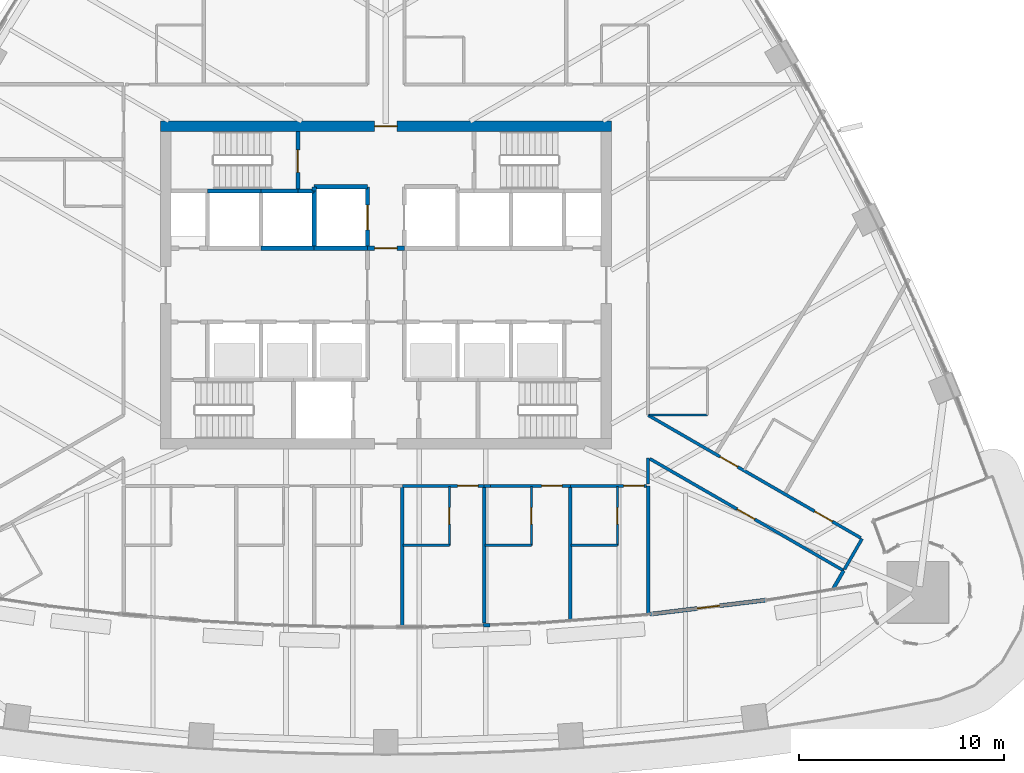
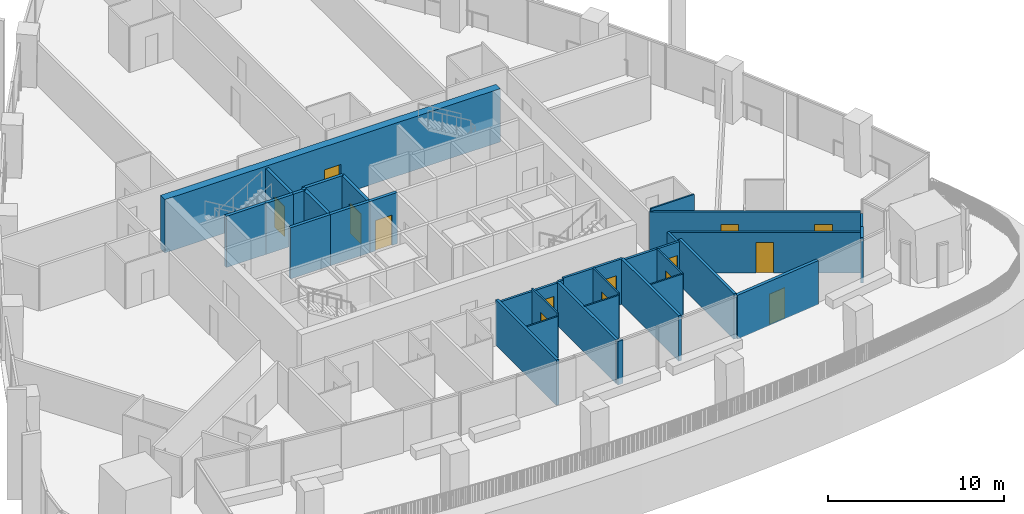
# One storey, part 12 of 25: 34 walls, 14 doors, 14 openings.
"""IFC4 building model written with IfcOpenShell, lengths in metres."""

from ifc_helpers import new_model, si_unit, direction, frame, frame_2d, origin, place, context, subcontext, project, spatial, rectangle, extrude, material, layer, layer_set, type_object, element, fill, save


model = new_model("IFC4")

# Units and contexts
model_context = context("Model", 3, precision=1e-05, world=origin(), true_north=direction((0.0, 1.0)))
body_context = subcontext(model_context, "Body", "Model", "MODEL_VIEW")
ifc_project = project(units=[si_unit("LENGTHUNIT", "METRE"), si_unit("AREAUNIT", "SQUARE_METRE"), si_unit("VOLUMEUNIT", "CUBIC_METRE"), si_unit("PLANEANGLEUNIT", "RADIAN"), si_unit("MASSUNIT", "GRAM", prefix="KILO")], contexts=[model_context])

# Site, building, storey
site_placement = place(None, origin())
site = spatial("IfcSite", under=ifc_project, at=site_placement, CompositionType="ELEMENT")
building_placement = place(site_placement, origin())
building = spatial("IfcBuilding", under=site, at=building_placement, Name="Sierra Prisma Convention Tower", CompositionType="ELEMENT")
storey_placement = place(building_placement, frame((0.0, 0.0, 88.699951171875)))
storey = spatial("IfcBuildingStorey", under=building, at=storey_placement, Name="L18", CompositionType="ELEMENT", Elevation=88.699951171875)

# Wall, opening, door
ifc_material_1 = material(Name="Gypsum board partition", Category="gypsum")
ifc_layer_1 = layer(ifc_material_1, 0.10009765625)
ifc_layer_set_1 = layer_set([ifc_layer_1], Name="Bathroom partition 100")
wall_type_1 = type_object("IfcWallType", Name="Bathroom partition 100", PredefinedType="PARTITIONING", material=ifc_layer_set_1)
wall_1_placement = place(storey_placement, frame((3.09912109375, -9.830078125, 0.0), z_axis=(0.0, 0.0, 1.0), x_axis=(0.0, -1.0, 0.0)))
wall_1 = element("IfcWall", 1, at=wall_1_placement, inside=storey, type_object=wall_type_1, Name="Partition L18 bath 18", PredefinedType="PARTITIONING", context=body_context, shape_type="SweptSolid", body=[
    extrude(rectangle(XDim=2.869873046875, YDim=0.10009765625, at=frame_2d((1.43505859375, 0.0))), origin(), (0.0, 0.0, 1.0), 3.150146484375),
])
opening_1_placement = place(wall_1_placement, frame((1.034912109375, 0.0, 0.0)))
opening_1 = element("IfcOpeningElement", 2, at=opening_1_placement, cuts=wall_1, Name="Opening L18-D015", PredefinedType="OPENING", context=body_context, shape_type="SweptSolid", body=[
    extrude(rectangle(XDim=0.800048828125, YDim=2.10009765625, at=frame_2d((0.39990234375, 1.050048828125))), frame((0.0, 0.050048828125, 0.0), z_axis=(0.0, -1.0, 0.0), x_axis=(1.0, 0.0, 0.0)), (0.0, 0.0, 1.0), 0.10009765625),
])
ifc_material_2 = material(Name="Solid core timber door leaf", Category="wood")
door_type_1 = type_object("IfcDoorType", Name="Door 800x2100 plain", OperationType="SINGLE_SWING_LEFT", PredefinedType="DOOR", material=ifc_material_2)
door_1_placement = place(opening_1_placement, origin())
door_1 = element("IfcDoor", 3, at=door_1_placement, inside=storey, type_object=door_type_1, Name="Door L18 26", OperationType="SINGLE_SWING_LEFT", OverallHeight=2.10009765625, OverallWidth=0.800048828125, PredefinedType="DOOR", context=body_context, shape_type="SweptSolid", body=[
    extrude(rectangle(XDim=0.800048828125, YDim=2.10009765625, at=frame_2d((0.39990234375, 1.050048828125))), frame((0.0, 0.02490234375, 0.0), z_axis=(0.0, -1.0, 0.0), x_axis=(1.0, 0.0, 0.0)), (0.0, 0.0, 1.0), 0.050048828125),
])
fill(opening_1, door_1)

# Wall
wall_2_placement = place(storey_placement, frame((3.09912109375, -12.699951171875, 0.0), z_axis=(0.0, 0.0, 1.0), x_axis=(-1.0, 0.0, 0.0)))
element("IfcWall", 4, at=wall_2_placement, inside=storey, type_object=wall_type_1, Name="Partition L18 bath 19", PredefinedType="PARTITIONING", context=body_context, shape_type="SweptSolid", body=[
    extrude(rectangle(XDim=2.27001953125, YDim=0.10009765625, at=frame_2d((1.135009765625, 0.0))), origin(), (0.0, 0.0, 1.0), 2.947021484375),
])

# Wall, opening, door
wall_3_placement = place(storey_placement, frame((7.09912109375, -9.830078125, 0.0), z_axis=(0.0, 0.0, 1.0), x_axis=(0.0, -1.0, 0.0)))
wall_3 = element("IfcWall", 5, at=wall_3_placement, inside=storey, type_object=wall_type_1, Name="Partition L18 bath 22", PredefinedType="PARTITIONING", context=body_context, shape_type="SweptSolid", body=[
    extrude(rectangle(XDim=2.869873046875, YDim=0.10009765625, at=frame_2d((1.43505859375, 0.0))), origin(), (0.0, 0.0, 1.0), 3.150146484375),
])
opening_2_placement = place(wall_3_placement, frame((1.034912109375, 0.0, 0.0)))
opening_2 = element("IfcOpeningElement", 6, at=opening_2_placement, cuts=wall_3, Name="Opening L18-D016", PredefinedType="OPENING", context=body_context, shape_type="SweptSolid", body=[
    extrude(rectangle(XDim=0.800048828125, YDim=2.10009765625, at=frame_2d((0.39990234375, 1.050048828125))), frame((0.0, 0.050048828125, 0.0), z_axis=(0.0, -1.0, 0.0), x_axis=(1.0, 0.0, 0.0)), (0.0, 0.0, 1.0), 0.10009765625),
])
door_2_placement = place(opening_2_placement, origin())
door_2 = element("IfcDoor", 7, at=door_2_placement, inside=storey, type_object=door_type_1, Name="Door L18 28", OperationType="SINGLE_SWING_LEFT", OverallHeight=2.10009765625, OverallWidth=0.800048828125, PredefinedType="DOOR", context=body_context, shape_type="SweptSolid", body=[
    extrude(rectangle(XDim=0.800048828125, YDim=2.10009765625, at=frame_2d((0.39990234375, 1.050048828125))), frame((0.0, 0.02490234375, 0.0), z_axis=(0.0, -1.0, 0.0), x_axis=(1.0, 0.0, 0.0)), (0.0, 0.0, 1.0), 0.050048828125),
])
fill(opening_2, door_2)

# Wall
wall_4_placement = place(storey_placement, frame((7.09912109375, -12.699951171875, 0.0), z_axis=(0.0, 0.0, 1.0), x_axis=(-1.0, 0.0, 0.0)))
element("IfcWall", 8, at=wall_4_placement, inside=storey, type_object=wall_type_1, Name="Partition L18 bath 23", PredefinedType="PARTITIONING", context=body_context, shape_type="SweptSolid", body=[
    extrude(rectangle(XDim=2.27001953125, YDim=0.10009765625, at=frame_2d((1.135009765625, 0.0))), origin(), (0.0, 0.0, 1.0), 3.01708984375),
])

# Wall, opening, door
wall_5_placement = place(storey_placement, frame((11.300048828125, -9.830078125, 0.0), z_axis=(0.0, 0.0, 1.0), x_axis=(0.0, -1.0, 0.0)))
wall_5 = element("IfcWall", 9, at=wall_5_placement, inside=storey, type_object=wall_type_1, Name="Partition L18 bath 24", PredefinedType="PARTITIONING", context=body_context, shape_type="SweptSolid", body=[
    extrude(rectangle(XDim=2.869873046875, YDim=0.10009765625, at=frame_2d((1.43505859375, 0.0))), origin(), (0.0, 0.0, 1.0), 3.01708984375),
])
opening_3_placement = place(wall_5_placement, frame((1.034912109375, 0.0, 0.0)))
opening_3 = element("IfcOpeningElement", 10, at=opening_3_placement, cuts=wall_5, Name="Opening L18-D017", PredefinedType="OPENING", context=body_context, shape_type="SweptSolid", body=[
    extrude(rectangle(XDim=0.800048828125, YDim=2.10009765625, at=frame_2d((0.39990234375, 1.050048828125))), frame((0.0, 0.050048828125, 0.0), z_axis=(0.0, -1.0, 0.0), x_axis=(1.0, 0.0, 0.0)), (0.0, 0.0, 1.0), 0.10009765625),
])
door_3_placement = place(opening_3_placement, origin())
door_3 = element("IfcDoor", 11, at=door_3_placement, inside=storey, type_object=door_type_1, Name="Door L18 30", OperationType="SINGLE_SWING_RIGHT", OverallHeight=2.10009765625, OverallWidth=0.800048828125, PredefinedType="DOOR", context=body_context, shape_type="SweptSolid", body=[
    extrude(rectangle(XDim=0.800048828125, YDim=2.10009765625, at=frame_2d((0.39990234375, 1.050048828125))), frame((0.0, 0.02490234375, 0.0), z_axis=(0.0, -1.0, 0.0), x_axis=(1.0, 0.0, 0.0)), (0.0, 0.0, 1.0), 0.050048828125),
])
fill(opening_3, door_3)

# Walls
wall_6_placement = place(storey_placement, frame((11.300048828125, -12.699951171875, 0.0), z_axis=(0.0, 0.0, 1.0), x_axis=(-1.0, 0.0, 0.0)))
element("IfcWall", 12, at=wall_6_placement, inside=storey, type_object=wall_type_1, Name="Partition L18 bath 25", PredefinedType="PARTITIONING", context=body_context, shape_type="SweptSolid", body=[
    extrude(rectangle(XDim=2.27001953125, YDim=0.10009765625, at=frame_2d((1.135009765625, 0.0))), origin(), (0.0, 0.0, 1.0), 3.01708984375),
])
wall_7_placement = place(storey_placement, frame((15.699951171875, -6.350830078125, 0.0), z_axis=(0.0, 0.0, 1.0), x_axis=(-1.0, 0.0, 0.0)))
element("IfcWall", 13, at=wall_7_placement, inside=storey, type_object=wall_type_1, Name="Partition L18 bath 31", PredefinedType="PARTITIONING", context=body_context, shape_type="SweptSolid", body=[
    extrude(rectangle(XDim=2.83984375, YDim=0.10009765625, at=frame_2d((1.419921875, 0.0))), origin(), (0.0, 0.0, 1.0), 3.150146484375),
])
ifc_material_3 = material(Name="Concrete C30/37", Category="concrete")
ifc_layer_2 = layer(ifc_material_3, 0.199951171875)
ifc_layer_set_2 = layer_set([ifc_layer_2], Name="Core wall RC 200 C30/37")
wall_type_2 = type_object("IfcWallType", Name="Core wall RC 200 C30/37", PredefinedType="SOLIDWALL", material=ifc_layer_set_2)
wall_8_placement = place(storey_placement, frame((-6.10009765625, 4.60009765625, 0.0), z_axis=(0.0, 0.0, 1.0), x_axis=(-1.0, 0.0, 0.0)))
element("IfcWall", 14, at=wall_8_placement, inside=storey, type_object=wall_type_2, Name="Core wall L18 10", PredefinedType="SOLIDWALL", context=body_context, shape_type="SweptSolid", body=[
    extrude(rectangle(XDim=2.599853515625, YDim=0.199951171875, at=frame_2d((1.2998046875, 0.0))), origin(), (0.0, 0.0, 1.0), 3.550048828125),
])
wall_9_placement = place(storey_placement, frame((-3.5, 1.800048828125, 0.0), z_axis=(0.0, 0.0, 1.0), x_axis=(-1.0, 0.0, 0.0)))
element("IfcWall", 15, at=wall_9_placement, inside=storey, type_object=wall_type_2, Name="Core wall L18 14", PredefinedType="SOLIDWALL", context=body_context, shape_type="SweptSolid", body=[
    extrude(rectangle(XDim=2.60009765625, YDim=0.199951171875, at=frame_2d((1.300048828125, 0.0))), origin(), (0.0, 0.0, 1.0), 3.550048828125),
])
wall_10_placement = place(storey_placement, frame((-4.300048828125, 4.60009765625, 0.0), z_axis=(0.0, 0.0, 1.0), x_axis=(-1.0, 0.0, 0.0)))
element("IfcWall", 16, at=wall_10_placement, inside=storey, type_object=wall_type_2, Name="Core wall L18 16", PredefinedType="SOLIDWALL", context=body_context, shape_type="SweptSolid", body=[
    extrude(rectangle(XDim=1.800048828125, YDim=0.199951171875, at=frame_2d((0.89990234375, 0.0))), origin(), (0.0, 0.0, 1.0), 3.550048828125),
])
wall_11_placement = place(storey_placement, frame((-3.5, 4.60009765625, 0.0), z_axis=(0.0, 0.0, 1.0), x_axis=(-1.0, 0.0, 0.0)))
element("IfcWall", 17, at=wall_11_placement, inside=storey, type_object=wall_type_2, Name="Core wall L18 19", PredefinedType="SOLIDWALL", context=body_context, shape_type="SweptSolid", body=[
    extrude(rectangle(XDim=0.800048828125, YDim=0.199951171875, at=frame_2d((0.39990234375, 0.0))), origin(), (0.0, 0.0, 1.0), 3.550048828125),
])

# Wall, opening, door
wall_12_placement = place(storey_placement, frame((-4.300048828125, 4.60009765625, 0.0), z_axis=(0.0, 0.0, 1.0), x_axis=(0.0, 1.0, 0.0)))
wall_12 = element("IfcWall", 18, at=wall_12_placement, inside=storey, type_object=wall_type_2, Name="Core wall L18 20", PredefinedType="SOLIDWALL", context=body_context, shape_type="SweptSolid", body=[
    extrude(rectangle(XDim=2.89990234375, YDim=0.199951171875, at=frame_2d((1.449951171875, 0.0))), origin(), (0.0, 0.0, 1.0), 3.550048828125),
])
opening_4_placement = place(wall_12_placement, frame((0.89990234375, 0.0, 0.0)))
opening_4 = element("IfcOpeningElement", 19, at=opening_4_placement, cuts=wall_12, Name="Opening L18-D038", PredefinedType="OPENING", context=body_context, shape_type="SweptSolid", body=[
    extrude(rectangle(XDim=1.10009765625, YDim=2.10009765625, at=frame_2d((0.550048828125, 1.050048828125))), frame((0.0, 0.10009765625, 0.0), z_axis=(0.0, -1.0, 0.0), x_axis=(1.0, 0.0, 0.0)), (0.0, 0.0, 1.0), 0.199951171875),
])
ifc_material_4 = material(Name="Steel fire door leaf", Category="steel")
door_type_2 = type_object("IfcDoorType", Name="Door 1100x2100 FD90S", OperationType="SINGLE_SWING_LEFT", PredefinedType="DOOR", material=ifc_material_4)
door_4_placement = place(opening_4_placement, origin())
door_4 = element("IfcDoor", 20, at=door_4_placement, inside=storey, type_object=door_type_2, Name="Door L18 54", OperationType="SINGLE_SWING_RIGHT", OverallHeight=2.10009765625, OverallWidth=1.10009765625, PredefinedType="DOOR", context=body_context, shape_type="SweptSolid", body=[
    extrude(rectangle(XDim=1.10009765625, YDim=2.10009765625, at=frame_2d((0.550048828125, 1.050048828125))), frame((0.0, 0.02490234375, 0.0), z_axis=(0.0, -1.0, 0.0), x_axis=(1.0, 0.0, 0.0)), (0.0, 0.0, 1.0), 0.050048828125),
])
fill(opening_4, door_4)

# Walls
wall_13_placement = place(storey_placement, frame((-0.89990234375, 1.800048828125, 0.0), z_axis=(0.0, 0.0, 1.0), x_axis=(-1.0, 0.0, 0.0)))
element("IfcWall", 21, at=wall_13_placement, inside=storey, type_object=wall_type_2, Name="Core wall L18 24", PredefinedType="SOLIDWALL", context=body_context, shape_type="SweptSolid", body=[
    extrude(rectangle(XDim=2.60009765625, YDim=0.199951171875, at=frame_2d((1.300048828125, 0.0))), origin(), (0.0, 0.0, 1.0), 3.550048828125),
])
wall_14_placement = place(storey_placement, frame((-3.5, 4.60009765625, 0.0), z_axis=(0.0, 0.0, 1.0), x_axis=(0.0, -1.0, 0.0)))
element("IfcWall", 22, at=wall_14_placement, inside=storey, type_object=wall_type_2, Name="Core wall L18 25", PredefinedType="SOLIDWALL", context=body_context, shape_type="SweptSolid", body=[
    extrude(rectangle(XDim=2.800048828125, YDim=0.199951171875, at=frame_2d((1.39990234375, 0.0))), origin(), (0.0, 0.0, 1.0), 3.550048828125),
])

# Wall, opening, door
wall_15_placement = place(storey_placement, frame((-0.89990234375, 1.800048828125, 0.0), z_axis=(0.0, 0.0, 1.0), x_axis=(0.0, 1.0, 0.0)))
wall_15 = element("IfcWall", 23, at=wall_15_placement, inside=storey, type_object=wall_type_2, Name="Core wall L18 26", PredefinedType="SOLIDWALL", context=body_context, shape_type="SweptSolid", body=[
    extrude(rectangle(XDim=3.0, YDim=0.199951171875, at=frame_2d((1.5, 0.0))), origin(), (0.0, 0.0, 1.0), 3.550048828125),
])
opening_5_placement = place(wall_15_placement, frame((0.89990234375, 0.0, 0.0)))
opening_5 = element("IfcOpeningElement", 24, at=opening_5_placement, cuts=wall_15, Name="Opening L18-D025", PredefinedType="OPENING", context=body_context, shape_type="SweptSolid", body=[
    extrude(rectangle(XDim=1.199951171875, YDim=2.10009765625, at=frame_2d((0.60009765625, 1.050048828125))), frame((0.0, 0.10009765625, 0.0), z_axis=(0.0, -1.0, 0.0), x_axis=(1.0, 0.0, 0.0)), (0.0, 0.0, 1.0), 0.199951171875),
])
ifc_material_5 = material(Name="Steel fire door leaf", Category="steel")
door_type_3 = type_object("IfcDoorType", Name="Door 1200x2100 EI 90 sliding lift landing", OperationType="SLIDING_TO_LEFT", PredefinedType="DOOR", material=ifc_material_5)
door_5_placement = place(opening_5_placement, origin())
door_5 = element("IfcDoor", 25, at=door_5_placement, inside=storey, type_object=door_type_3, Name="Door L18 41", OperationType="SLIDING_TO_LEFT", OverallHeight=2.10009765625, OverallWidth=1.199951171875, PredefinedType="DOOR", context=body_context, shape_type="SweptSolid", body=[
    extrude(rectangle(XDim=1.199951171875, YDim=2.10009765625, at=frame_2d((0.60009765625, 1.050048828125))), frame((0.0, 0.02490234375, 0.0), z_axis=(0.0, -1.0, 0.0), x_axis=(1.0, 0.0, 0.0)), (0.0, 0.0, 1.0), 0.050048828125),
])
fill(opening_5, door_5)

# Walls
wall_16_placement = place(storey_placement, frame((-0.89990234375, 4.800048828125, 0.0), z_axis=(0.0, 0.0, 1.0), x_axis=(-1.0, 0.0, 0.0)))
element("IfcWall", 26, at=wall_16_placement, inside=storey, type_object=wall_type_2, Name="Core wall L18 27", PredefinedType="SOLIDWALL", context=body_context, shape_type="SweptSolid", body=[
    extrude(rectangle(XDim=2.60009765625, YDim=0.199951171875, at=frame_2d((1.300048828125, 0.0))), origin(), (0.0, 0.0, 1.0), 3.550048828125),
])
wall_17_placement = place(storey_placement, frame((-3.5, 4.800048828125, 0.0), z_axis=(0.0, 0.0, 1.0), x_axis=(0.0, -1.0, 0.0)))
element("IfcWall", 27, at=wall_17_placement, inside=storey, type_object=wall_type_2, Name="Core wall L18 28", PredefinedType="SOLIDWALL", context=body_context, shape_type="SweptSolid", body=[
    extrude(rectangle(XDim=0.199951171875, YDim=0.199951171875, at=frame_2d((0.10009765625, 0.0))), origin(), (0.0, 0.0, 1.0), 3.550048828125),
])

# Wall, opening, door
wall_18_placement = place(storey_placement, frame((0.89990234375, 1.800048828125, 0.0), z_axis=(0.0, 0.0, 1.0), x_axis=(-1.0, 0.0, 0.0)))
wall_18 = element("IfcWall", 28, at=wall_18_placement, inside=storey, type_object=wall_type_2, Name="Core wall L18 34", PredefinedType="SOLIDWALL", context=body_context, shape_type="SweptSolid", body=[
    extrude(rectangle(XDim=1.7998046875, YDim=0.199951171875, at=frame_2d((0.89990234375, 0.0))), origin(), (0.0, 0.0, 1.0), 3.550048828125),
])
opening_6_placement = place(wall_18_placement, frame((0.35009765625, 0.0, 0.0)))
opening_6 = element("IfcOpeningElement", 29, at=opening_6_placement, cuts=wall_18, Name="Opening L18-D032", PredefinedType="OPENING", context=body_context, shape_type="SweptSolid", body=[
    extrude(rectangle(XDim=1.10009765625, YDim=2.10009765625, at=frame_2d((0.550048828125, 1.050048828125))), frame((0.0, 0.10009765625, 0.0), z_axis=(0.0, -1.0, 0.0), x_axis=(1.0, 0.0, 0.0)), (0.0, 0.0, 1.0), 0.199951171875),
])
ifc_material_6 = material(Name="Steel fire door leaf", Category="steel")
door_type_4 = type_object("IfcDoorType", Name="Door 1100x2100 FD60S", OperationType="SINGLE_SWING_LEFT", PredefinedType="DOOR", material=ifc_material_6)
door_6_placement = place(opening_6_placement, origin())
door_6 = element("IfcDoor", 30, at=door_6_placement, inside=storey, type_object=door_type_4, Name="Door L18 48", OperationType="SINGLE_SWING_LEFT", OverallHeight=2.10009765625, OverallWidth=1.10009765625, PredefinedType="DOOR", context=body_context, shape_type="SweptSolid", body=[
    extrude(rectangle(XDim=1.10009765625, YDim=2.10009765625, at=frame_2d((0.550048828125, 1.050048828125))), frame((0.0, 0.02490234375, 0.0), z_axis=(0.0, -1.0, 0.0), x_axis=(1.0, 0.0, 0.0)), (0.0, 0.0, 1.0), 0.050048828125),
])
fill(opening_6, door_6)

ifc_material_7 = material(Name="Concrete C60/75", Category="concrete")
ifc_layer_3 = layer(ifc_material_7, 0.5)
ifc_layer_set_3 = layer_set([ifc_layer_3], Name="Core wall RC 500 C60/75")
wall_type_3 = type_object("IfcWallType", Name="Core wall RC 500 C60/75", PredefinedType="SHEAR", material=ifc_layer_set_3)
wall_19_placement = place(storey_placement, frame((-11.0, 7.75, 0.0), z_axis=(0.0, 0.0, 1.0), x_axis=(1.0, 0.0, 0.0)))
wall_19 = element("IfcWall", 31, at=wall_19_placement, inside=storey, type_object=wall_type_3, Name="Core wall N L18", PredefinedType="SHEAR", context=body_context, shape_type="SweptSolid", body=[
    extrude(rectangle(XDim=22.0, YDim=0.5, at=frame_2d((11.0, 0.0))), origin(), (0.0, 0.0, 1.0), 3.699951171875),
])
opening_7_placement = place(wall_19_placement, frame((10.449951171875, 0.0, 0.0)))
opening_7 = element("IfcOpeningElement", 32, at=opening_7_placement, cuts=wall_19, Name="Opening L18-D061", PredefinedType="OPENING", context=body_context, shape_type="SweptSolid", body=[
    extrude(rectangle(XDim=1.10009765625, YDim=2.10009765625, at=frame_2d((0.550048828125, 1.050048828125))), frame((0.0, 0.25, 0.0), z_axis=(0.0, -1.0, 0.0), x_axis=(1.0, 0.0, 0.0)), (0.0, 0.0, 1.0), 0.5),
])
door_7_placement = place(opening_7_placement, origin())
door_7 = element("IfcDoor", 33, at=door_7_placement, inside=storey, type_object=door_type_4, Name="Door L18 59", OperationType="SINGLE_SWING_RIGHT", OverallHeight=2.10009765625, OverallWidth=1.10009765625, PredefinedType="DOOR", context=body_context, shape_type="SweptSolid", body=[
    extrude(rectangle(XDim=1.10009765625, YDim=2.10009765625, at=frame_2d((0.550048828125, 1.050048828125))), frame((0.0, 0.02490234375, 0.0), z_axis=(0.0, -1.0, 0.0), x_axis=(1.0, 0.0, 0.0)), (0.0, 0.0, 1.0), 0.050048828125),
])
fill(opening_7, door_7)

ifc_material_8 = material(Name="Gypsum board partition", Category="gypsum")
ifc_layer_4 = layer(ifc_material_8, 0.14990234375)
ifc_layer_set_4 = layer_set([ifc_layer_4], Name="Corridor wall 150 gypsum EI 60")
wall_type_4 = type_object("IfcWallType", Name="Corridor wall 150 gypsum EI 60", PredefinedType="PARTITIONING", material=ifc_layer_set_4)
wall_20_placement = place(storey_placement, frame((0.799072265625, -9.800048828125, 0.0), z_axis=(0.0, 0.0, 1.0), x_axis=(1.0, 0.0, 0.0)))
wall_20 = element("IfcWall", 34, at=wall_20_placement, inside=storey, type_object=wall_type_4, Name="Partition L18 corr 12", PredefinedType="PARTITIONING", context=body_context, shape_type="SweptSolid", body=[
    extrude(rectangle(XDim=4.0, YDim=0.14990234375, at=frame_2d((2.0, 0.0))), origin(), (0.0, 0.0, 1.0), 2.947021484375),
])
opening_8_placement = place(wall_20_placement, frame((2.699951171875, 0.0, 0.0)))
opening_8 = element("IfcOpeningElement", 35, at=opening_8_placement, cuts=wall_20, Name="Opening L18-D054", PredefinedType="OPENING", context=body_context, shape_type="SweptSolid", body=[
    extrude(rectangle(XDim=1.0, YDim=2.10009765625, at=frame_2d((0.5, 1.050048828125))), frame((0.0, 0.074951171875, 0.0), z_axis=(0.0, -1.0, 0.0), x_axis=(1.0, 0.0, 0.0)), (0.0, 0.0, 1.0), 0.14990234375),
])
ifc_material_9 = material(Name="Steel fire door leaf", Category="steel")
door_type_5 = type_object("IfcDoorType", Name="Door 1000x2100 FD30S", OperationType="SINGLE_SWING_LEFT", PredefinedType="DOOR", material=ifc_material_9)
door_8_placement = place(opening_8_placement, origin())
door_8 = element("IfcDoor", 36, at=door_8_placement, inside=storey, type_object=door_type_5, Name="Door L18 25", OperationType="SINGLE_SWING_LEFT", OverallHeight=2.10009765625, OverallWidth=1.0, PredefinedType="DOOR", context=body_context, shape_type="SweptSolid", body=[
    extrude(rectangle(XDim=1.0, YDim=2.10009765625, at=frame_2d((0.5, 1.050048828125))), frame((0.0, 0.02490234375, 0.0), z_axis=(0.0, -1.0, 0.0), x_axis=(1.0, 0.0, 0.0)), (0.0, 0.0, 1.0), 0.050048828125),
])
fill(opening_8, door_8)

# Wall
wall_21_placement = place(storey_placement, frame((4.799072265625, -9.800048828125, 0.0), z_axis=(0.0, 0.0, 1.0), x_axis=(1.0, 0.0, 0.0)))
element("IfcWall", 37, at=wall_21_placement, inside=storey, type_object=wall_type_4, Name="Partition L18 corr 15", PredefinedType="PARTITIONING", context=body_context, shape_type="SweptSolid", body=[
    extrude(rectangle(XDim=0.30078125, YDim=0.14990234375, at=frame_2d((0.150390625, 0.0))), origin(), (0.0, 0.0, 1.0), 3.01708984375),
])

# Wall, opening, door
wall_22_placement = place(storey_placement, frame((5.10009765625, -9.800048828125, 0.0), z_axis=(0.0, 0.0, 1.0), x_axis=(1.0, 0.0, 0.0)))
wall_22 = element("IfcWall", 38, at=wall_22_placement, inside=storey, type_object=wall_type_4, Name="Partition L18 corr 16", PredefinedType="PARTITIONING", context=body_context, shape_type="SweptSolid", body=[
    extrude(rectangle(XDim=3.89990234375, YDim=0.14990234375, at=frame_2d((1.949951171875, 0.0))), origin(), (0.0, 0.0, 1.0), 3.150146484375),
])
opening_9_placement = place(wall_22_placement, frame((2.49951171875, 0.0, 0.0)))
opening_9 = element("IfcOpeningElement", 39, at=opening_9_placement, cuts=wall_22, Name="Opening L18-D055", PredefinedType="OPENING", context=body_context, shape_type="SweptSolid", body=[
    extrude(rectangle(XDim=1.0, YDim=2.10009765625, at=frame_2d((0.5, 1.050048828125))), frame((0.0, 0.074951171875, 0.0), z_axis=(0.0, -1.0, 0.0), x_axis=(1.0, 0.0, 0.0)), (0.0, 0.0, 1.0), 0.14990234375),
])
door_9_placement = place(opening_9_placement, origin())
door_9 = element("IfcDoor", 40, at=door_9_placement, inside=storey, type_object=door_type_5, Name="Door L18 27", OperationType="SINGLE_SWING_LEFT", OverallHeight=2.10009765625, OverallWidth=1.0, PredefinedType="DOOR", context=body_context, shape_type="SweptSolid", body=[
    extrude(rectangle(XDim=1.0, YDim=2.10009765625, at=frame_2d((0.5, 1.050048828125))), frame((0.0, 0.02490234375, 0.0), z_axis=(0.0, -1.0, 0.0), x_axis=(1.0, 0.0, 0.0)), (0.0, 0.0, 1.0), 0.050048828125),
])
fill(opening_9, door_9)

wall_23_placement = place(storey_placement, frame((9.0, -9.800048828125, 0.0), z_axis=(0.0, 0.0, 1.0), x_axis=(1.0, 0.0, 0.0)))
wall_23 = element("IfcWall", 41, at=wall_23_placement, inside=storey, type_object=wall_type_4, Name="Partition L18 corr 18", PredefinedType="PARTITIONING", context=body_context, shape_type="SweptSolid", body=[
    extrude(rectangle(XDim=3.719970703125, YDim=0.14990234375, at=frame_2d((1.85986328125, 0.0))), origin(), (0.0, 0.0, 1.0), 3.01708984375),
])
opening_10_placement = place(wall_23_placement, frame((2.60009765625, 0.0, 0.0)))
opening_10 = element("IfcOpeningElement", 42, at=opening_10_placement, cuts=wall_23, Name="Opening L18-D056", PredefinedType="OPENING", context=body_context, shape_type="SweptSolid", body=[
    extrude(rectangle(XDim=1.0, YDim=2.10009765625, at=frame_2d((0.5, 1.050048828125))), frame((0.0, 0.074951171875, 0.0), z_axis=(0.0, -1.0, 0.0), x_axis=(1.0, 0.0, 0.0)), (0.0, 0.0, 1.0), 0.14990234375),
])
door_10_placement = place(opening_10_placement, origin())
door_10 = element("IfcDoor", 43, at=door_10_placement, inside=storey, type_object=door_type_5, Name="Door L18 29", OperationType="SINGLE_SWING_LEFT", OverallHeight=2.10009765625, OverallWidth=1.0, PredefinedType="DOOR", context=body_context, shape_type="SweptSolid", body=[
    extrude(rectangle(XDim=1.0, YDim=2.10009765625, at=frame_2d((0.5, 1.050048828125))), frame((0.0, 0.02490234375, 0.0), z_axis=(0.0, -1.0, 0.0), x_axis=(1.0, 0.0, 0.0)), (0.0, 0.0, 1.0), 0.050048828125),
])
fill(opening_10, door_10)

# Wall
wall_24_placement = place(storey_placement, frame((12.800048828125, -9.719970703125, 0.0), z_axis=(0.0, 0.0, 1.0), x_axis=(0.0, 1.0, 0.0)))
element("IfcWall", 44, at=wall_24_placement, inside=storey, type_object=wall_type_4, Name="Partition L18 corr 19", PredefinedType="PARTITIONING", context=body_context, shape_type="SweptSolid", body=[
    extrude(rectangle(XDim=1.290771484375, YDim=0.14990234375, at=frame_2d((0.6455078125, 0.0))), origin(), (0.0, 0.0, 1.0), 2.797119140625),
])

# Wall, opening, door
wall_25_placement = place(storey_placement, frame((12.87939453125, -8.47509765625, 0.0), z_axis=(0.0, 0.0, 1.0), x_axis=(0.866025241123, -0.500000281738, 0.0)))
wall_25 = element("IfcWall", 45, at=wall_25_placement, inside=storey, type_object=wall_type_4, Name="Partition L18 corr 20", PredefinedType="PARTITIONING", context=body_context, shape_type="SweptSolid", body=[
    extrude(rectangle(XDim=10.92822265625, YDim=0.14990234375, at=frame_2d((5.464111328125, 0.0))), origin(), (0.0, 0.0, 1.0), 2.797119140625),
])
opening_11_placement = place(wall_25_placement, frame((4.91845703125, 0.0, 0.0)))
opening_11 = element("IfcOpeningElement", 46, at=opening_11_placement, cuts=wall_25, Name="Opening L18-D057", PredefinedType="OPENING", context=body_context, shape_type="SweptSolid", body=[
    extrude(rectangle(XDim=1.0, YDim=2.10009765625, at=frame_2d((0.5, 1.050048828125))), frame((0.0, 0.074951171875, 0.0), z_axis=(0.0, -1.0, 0.0), x_axis=(1.0, 0.0, 0.0)), (0.0, 0.0, 1.0), 0.14990234375),
])
door_11_placement = place(opening_11_placement, origin())
door_11 = element("IfcDoor", 47, at=door_11_placement, inside=storey, type_object=door_type_5, Name="Door L18 31", OperationType="SINGLE_SWING_RIGHT", OverallHeight=2.10009765625, OverallWidth=1.0, PredefinedType="DOOR", context=body_context, shape_type="SweptSolid", body=[
    extrude(rectangle(XDim=1.0, YDim=2.10009765625, at=frame_2d((0.5, 1.050048828125))), frame((0.0, 0.02490234375, 0.0), z_axis=(0.0, -1.0, 0.0), x_axis=(1.0, 0.0, 0.0)), (0.0, 0.0, 1.0), 0.050048828125),
])
fill(opening_11, door_11)

# Wall
wall_26_placement = place(storey_placement, frame((22.383544921875, -13.8701171875, 0.0), z_axis=(0.0, 0.0, 1.0), x_axis=(0.499894466757, 0.866086324858, 0.0)))
element("IfcWall", 48, at=wall_26_placement, inside=storey, type_object=wall_type_4, Name="Partition L18 corr 21", PredefinedType="PARTITIONING", context=body_context, shape_type="SweptSolid", body=[
    extrude(rectangle(XDim=1.719970703125, YDim=0.14990234375, at=frame_2d((0.85986328125, 0.0))), origin(), (0.0, 0.0, 1.0), 2.797119140625),
])

# Wall, openings, doors
wall_27_placement = place(storey_placement, frame((23.17431640625, -12.34033203125, 0.0), z_axis=(0.0, 0.0, 1.0), x_axis=(-0.866028448298, 0.49999472671, 0.0)))
wall_27 = element("IfcWall", 49, at=wall_27_placement, inside=storey, type_object=wall_type_4, Name="Partition L18 corr 22", PredefinedType="PARTITIONING", context=body_context, shape_type="SweptSolid", body=[
    extrude(rectangle(XDim=11.979248046875, YDim=0.14990234375, at=frame_2d((5.98974609375, 0.0))), origin(), (0.0, 0.0, 1.0), 2.947021484375),
])
opening_12_placement = place(wall_27_placement, frame((1.599609375, 0.0, 0.0)))
opening_12 = element("IfcOpeningElement", 50, at=opening_12_placement, cuts=wall_27, Name="Opening L18-D058", PredefinedType="OPENING", context=body_context, shape_type="SweptSolid", body=[
    extrude(rectangle(XDim=1.0, YDim=2.10009765625, at=frame_2d((0.5, 1.050048828125))), frame((0.0, 0.074951171875, 0.0), z_axis=(0.0, -1.0, 0.0), x_axis=(1.0, 0.0, 0.0)), (0.0, 0.0, 1.0), 0.14990234375),
])
opening_13_placement = place(wall_27_placement, frame((6.92919921875, 0.0, 0.0)))
opening_13 = element("IfcOpeningElement", 51, at=opening_13_placement, cuts=wall_27, Name="Opening L18-D059", PredefinedType="OPENING", context=body_context, shape_type="SweptSolid", body=[
    extrude(rectangle(XDim=1.0, YDim=2.10009765625, at=frame_2d((0.5, 1.050048828125))), frame((0.0, 0.074951171875, 0.0), z_axis=(0.0, -1.0, 0.0), x_axis=(1.0, 0.0, 0.0)), (0.0, 0.0, 1.0), 0.14990234375),
])
door_12_placement = place(opening_12_placement, origin())
door_12 = element("IfcDoor", 52, at=door_12_placement, inside=storey, type_object=door_type_5, Name="Door L18 32", OperationType="SINGLE_SWING_LEFT", OverallHeight=2.10009765625, OverallWidth=1.0, PredefinedType="DOOR", context=body_context, shape_type="SweptSolid", body=[
    extrude(rectangle(XDim=1.0, YDim=2.10009765625, at=frame_2d((0.5, 1.050048828125))), frame((0.0, 0.02490234375, 0.0), z_axis=(0.0, -1.0, 0.0), x_axis=(1.0, 0.0, 0.0)), (0.0, 0.0, 1.0), 0.050048828125),
])
fill(opening_12, door_12)
door_13_placement = place(opening_13_placement, origin())
door_13 = element("IfcDoor", 53, at=door_13_placement, inside=storey, type_object=door_type_5, Name="Door L18 33", OperationType="SINGLE_SWING_LEFT", OverallHeight=2.10009765625, OverallWidth=1.0, PredefinedType="DOOR", context=body_context, shape_type="SweptSolid", body=[
    extrude(rectangle(XDim=1.0, YDim=2.10009765625, at=frame_2d((0.5, 1.050048828125))), frame((0.0, 0.02490234375, 0.0), z_axis=(0.0, -1.0, 0.0), x_axis=(1.0, 0.0, 0.0)), (0.0, 0.0, 1.0), 0.050048828125),
])
fill(opening_13, door_13)

# Walls
ifc_material_10 = material(Name="Acoustic gypsum board partition", Category="gypsum")
ifc_layer_5 = layer(ifc_material_10, 0.175048828125)
ifc_layer_set_5 = layer_set([ifc_layer_5], Name="Guest room party wall 175 acoustic EI 60")
wall_type_5 = type_object("IfcWallType", Name="Guest room party wall 175 acoustic EI 60", PredefinedType="PARTITIONING", material=ifc_layer_set_5)
wall_28_placement = place(storey_placement, frame((0.799072265625, -9.800048828125, 0.0), z_axis=(0.0, 0.0, 1.0), x_axis=(0.0, -1.0, 0.0)))
element("IfcWall", 54, at=wall_28_placement, inside=storey, type_object=wall_type_5, Name="Partition L18 hparty 10", PredefinedType="PARTITIONING", context=body_context, shape_type="SweptSolid", body=[
    extrude(rectangle(XDim=6.892333984375, YDim=0.175048828125, at=frame_2d((3.4462890625, 0.0))), origin(), (0.0, 0.0, 1.0), 3.150146484375),
])
wall_29_placement = place(storey_placement, frame((5.0732421875, -16.60009765625, 0.0), z_axis=(0.0, 0.0, 1.0), x_axis=(-0.99936861923, -0.035529746675, 0.0)))
element("IfcWall", 55, at=wall_29_placement, inside=storey, type_object=wall_type_5, Name="Partition L18 hparty 13", PredefinedType="PARTITIONING", context=body_context, shape_type="SweptSolid", body=[
    extrude(rectangle(XDim=0.322998046875, YDim=0.175048828125, at=frame_2d((0.16162109375, 0.0))), origin(), (0.0, 0.0, 1.0), 3.01708984375),
])
wall_30_placement = place(storey_placement, frame((4.799072265625, -9.800048828125, 0.0), z_axis=(0.0, 0.0, 1.0), x_axis=(0.0, -1.0, 0.0)))
element("IfcWall", 56, at=wall_30_placement, inside=storey, type_object=wall_type_5, Name="Partition L18 hparty 14", PredefinedType="PARTITIONING", context=body_context, shape_type="SweptSolid", body=[
    extrude(rectangle(XDim=6.705322265625, YDim=0.175048828125, at=frame_2d((3.3525390625, 0.0))), origin(), (0.0, 0.0, 1.0), 3.01708984375),
])
wall_31_placement = place(storey_placement, frame((9.0, -9.800048828125, 0.0), z_axis=(0.0, 0.0, 1.0), x_axis=(0.0, -1.0, 0.0)))
element("IfcWall", 57, at=wall_31_placement, inside=storey, type_object=wall_type_5, Name="Partition L18 hparty 16", PredefinedType="PARTITIONING", context=body_context, shape_type="SweptSolid", body=[
    extrude(rectangle(XDim=6.588623046875, YDim=0.175048828125, at=frame_2d((3.29443359375, 0.0))), origin(), (0.0, 0.0, 1.0), 3.150146484375),
])
wall_32_placement = place(storey_placement, frame((12.800048828125, -9.800048828125, 0.0), z_axis=(0.0, 0.0, 1.0), x_axis=(0.0, -1.0, 0.0)))
element("IfcWall", 58, at=wall_32_placement, inside=storey, type_object=wall_type_5, Name="Partition L18 hparty 17", PredefinedType="PARTITIONING", context=body_context, shape_type="SweptSolid", body=[
    extrude(rectangle(XDim=6.2705078125, YDim=0.175048828125, at=frame_2d((3.13525390625, 0.0))), origin(), (0.0, 0.0, 1.0), 3.150146484375),
])
wall_33_placement = place(storey_placement, frame((22.343505859375, -13.939208984375, 0.0), z_axis=(0.0, 0.0, 1.0), x_axis=(-0.499980071345, -0.866036909293, 0.0)))
element("IfcWall", 59, at=wall_33_placement, inside=storey, type_object=wall_type_5, Name="Partition L18 hparty 23", PredefinedType="PARTITIONING", context=body_context, shape_type="SweptSolid", body=[
    extrude(rectangle(XDim=1.06640625, YDim=0.175048828125, at=frame_2d((0.533203125, 0.0))), origin(), (0.0, 0.0, 1.0), 3.150146484375),
])

# Wall, opening, door
ifc_material_11 = material(Name="Precast concrete C40/50", Category="concrete")
ifc_layer_6 = layer(ifc_material_11, 0.199951171875)
ifc_layer_set_6 = layer_set([ifc_layer_6], Name="Terrace door pier")
wall_type_6 = type_object("IfcWallType", Name="Terrace door pier", PredefinedType="SOLIDWALL", material=ifc_layer_set_6)
wall_34_placement = place(storey_placement, frame((12.884033203125, -16.0654296875, 0.0), z_axis=(0.0, 0.0, 1.0), x_axis=(0.992689748885, 0.12069408626, 0.0)))
wall_34 = element("IfcWall", 60, at=wall_34_placement, inside=storey, type_object=wall_type_6, Name="Terrace door bay L18.9", PredefinedType="SOLIDWALL", context=body_context, shape_type="SweptSolid", body=[
    extrude(rectangle(XDim=5.748779296875, YDim=0.199951171875, at=frame_2d((2.87451171875, 0.0))), origin(), (0.0, 0.0, 1.0), 3.0400390625),
])
opening_14_placement = place(wall_34_placement, frame((2.324462890625, 0.0, 0.0)))
opening_14 = element("IfcOpeningElement", 61, at=opening_14_placement, cuts=wall_34, Name="Opening L18-D003", PredefinedType="OPENING", context=body_context, shape_type="SweptSolid", body=[
    extrude(rectangle(XDim=1.10009765625, YDim=2.10009765625, at=frame_2d((0.550048828125, 1.050048828125))), frame((0.0, 0.10009765625, 0.0), z_axis=(0.0, -1.0, 0.0), x_axis=(1.0, 0.0, 0.0)), (0.0, 0.0, 1.0), 0.199951171875),
])
ifc_material_12 = material(Name="Bronze anodised aluminium and glass", Category="aluminium")
door_type_6 = type_object("IfcDoorType", Name="Terrace door 1100 x 2100", OperationType="SINGLE_SWING_LEFT", PredefinedType="DOOR", material=ifc_material_12)
door_14_placement = place(opening_14_placement, origin())
door_14 = element("IfcDoor", 62, at=door_14_placement, inside=storey, type_object=door_type_6, Name="Terrace door L18.9", OperationType="SINGLE_SWING_RIGHT", OverallHeight=2.10009765625, OverallWidth=1.10009765625, PredefinedType="DOOR", context=body_context, shape_type="SweptSolid", body=[
    extrude(rectangle(XDim=1.10009765625, YDim=2.10009765625, at=frame_2d((0.550048828125, 1.050048828125))), frame((0.0, 0.02490234375, 0.0), z_axis=(0.0, -1.0, 0.0), x_axis=(1.0, 0.0, 0.0)), (0.0, 0.0, 1.0), 0.050048828125),
])
fill(opening_14, door_14)

save(model, "model.ifc")
